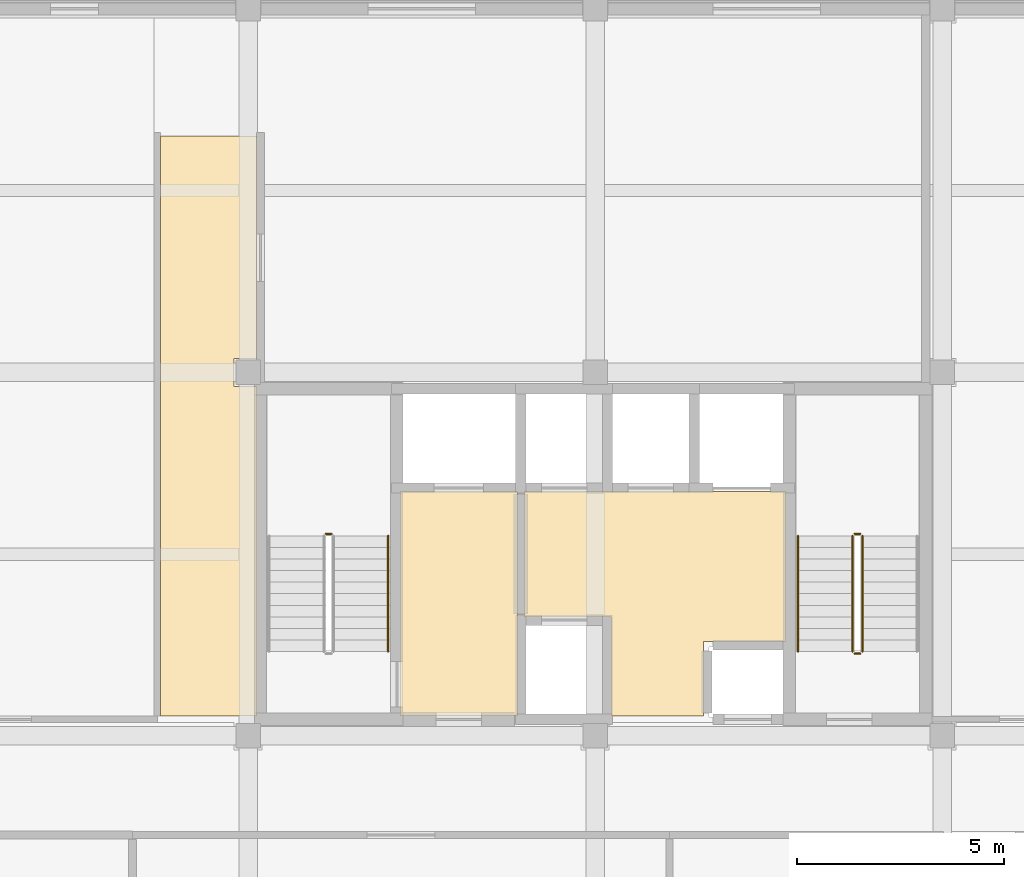
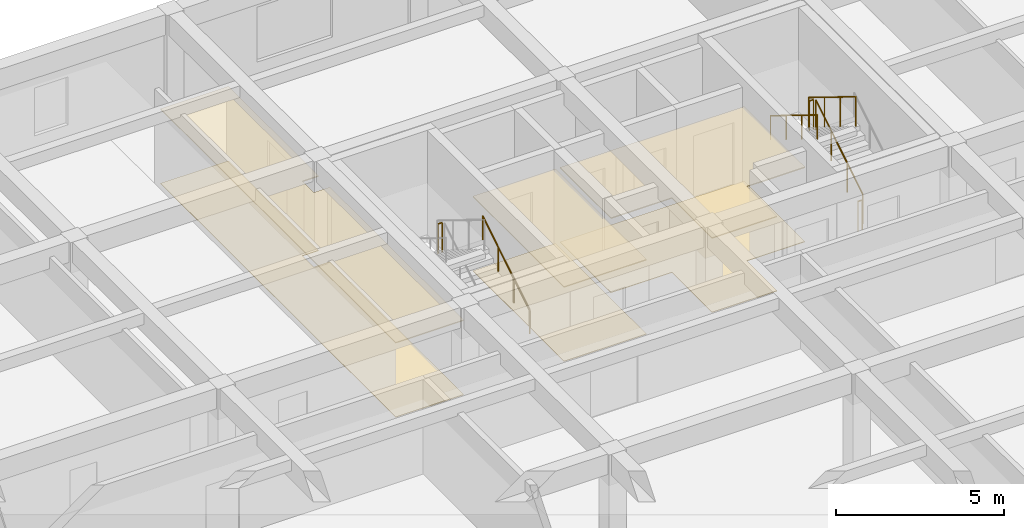
# One storey, part 13 of 14: 7 railings, 6 coverings.
"""IFC4 building model written with IfcOpenShell, lengths in metres."""

from ifc_helpers import new_model, si_unit, direction, frame, origin, origin_2d, place, context, subcontext, project, spatial, polyline, circle, outline, extrude, material, layer, layer_set, type_object, element, save


model = new_model("IFC4")

# Units and contexts
model_context = context("Model", 3, precision=1e-05, world=origin(), true_north=direction((0.0, 1.0)))
body_context = subcontext(model_context, "Body", "Model", "MODEL_VIEW")
ifc_project = project(units=[si_unit("LENGTHUNIT", "METRE"), si_unit("AREAUNIT", "SQUARE_METRE"), si_unit("VOLUMEUNIT", "CUBIC_METRE"), si_unit("PLANEANGLEUNIT", "RADIAN"), si_unit("MASSUNIT", "GRAM", prefix="KILO")], contexts=[model_context])

# Site, building, storey
site_placement = place(None, origin())
site = spatial("IfcSite", under=ifc_project, at=site_placement, CompositionType="ELEMENT")
building_placement = place(site_placement, origin())
building = spatial("IfcBuilding", under=site, at=building_placement, Name="Kemercrest Conservatory and Botanical Centre", CompositionType="ELEMENT")
storey_placement = place(building_placement, frame((0.0, 0.0, 44.39990234375)))
storey = spatial("IfcBuildingStorey", under=building, at=storey_placement, Name="L11", CompositionType="ELEMENT", Elevation=44.39990234375)

# Coverings
ifc_material_1 = material(Name="Perforated acoustic gypsum and mineral-fibre suspended ceiling", Category="gypsum")
ifc_layer_1 = layer(ifc_material_1, 0.034912109375)
ifc_layer_set_1 = layer_set([ifc_layer_1], Name="Perforated acoustic gypsum and mineral-fibre suspended ceiling")
covering_type_1 = type_object("IfcCoveringType", Name="CV-CLG035", PredefinedType="CEILING", material=ifc_layer_set_1)
covering_1_placement = place(storey_placement, frame((0.0, 0.0, 2.7001953125)))
element("IfcCovering", 1, at=covering_1_placement, inside=storey, type_object=covering_type_1, Name="Firefighting Lobby suspended acoustic ceiling", PredefinedType="CEILING", context=body_context, shape_type="SweptSolid", body=[
    extrude(outline(polyline([(154.47998046875, 105.280029296875), (157.320068359375, 105.280029296875), (157.320068359375, 110.719970703125), (154.47998046875, 110.719970703125), (154.47998046875, 105.280029296875)])), origin(), (0.0, 0.0, 1.0), 0.034912109375),
])
covering_2_placement = place(storey_placement, frame((0.0, 0.0, 2.7001953125)))
element("IfcCovering", 2, at=covering_2_placement, inside=storey, type_object=covering_type_1, Name="Tower Lift Lobby suspended acoustic ceiling", PredefinedType="CEILING", context=body_context, shape_type="SweptSolid", body=[
    extrude(outline(polyline([(159.580078125, 107.679931640625), (159.580078125, 105.280029296875), (161.820068359375, 105.280029296875), (161.820068359375, 107.080078125), (163.820068359375, 107.080078125), (163.820068359375, 110.719970703125), (157.47998046875, 110.719970703125), (157.47998046875, 107.679931640625), (159.580078125, 107.679931640625)])), origin(), (0.0, 0.0, 1.0), 0.034912109375),
])
covering_3_placement = place(storey_placement, frame((0.0, 0.0, 2.7001953125)))
element("IfcCovering", 3, at=covering_3_placement, inside=storey, type_object=covering_type_1, Name="North Core Lobby Branch suspended acoustic ceiling", PredefinedType="CEILING", context=body_context, shape_type="SweptSolid", body=[
    extrude(outline(polyline([(148.679931640625, 105.280029296875), (151.02001953125, 105.280029296875), (151.02001953125, 113.260009765625), (150.4599609375, 113.260009765625), (150.4599609375, 113.93994140625), (151.02001953125, 113.93994140625), (151.02001953125, 119.320068359375), (148.679931640625, 119.320068359375), (148.679931640625, 105.280029296875)])), origin(), (0.0, 0.0, 1.0), 0.034912109375),
])
ifc_material_2 = material(Name="Polished limestone terrazzo and seamless laboratory epoxy flooring", Category="masonry")
ifc_layer_2 = layer(ifc_material_2, 0.02001953125)
ifc_layer_set_2 = layer_set([ifc_layer_2], Name="Polished limestone terrazzo and seamless laboratory epoxy flooring")
covering_type_2 = type_object("IfcCoveringType", Name="CV-FLR020", PredefinedType="FLOORING", material=ifc_layer_set_2)
covering_4_placement = place(storey_placement, origin())
element("IfcCovering", 4, at=covering_4_placement, inside=storey, type_object=covering_type_2, Name="Firefighting Lobby floor finish", PredefinedType="FLOORING", context=body_context, shape_type="SweptSolid", body=[
    extrude(outline(polyline([(154.47998046875, 105.280029296875), (157.320068359375, 105.280029296875), (157.320068359375, 110.719970703125), (154.47998046875, 110.719970703125), (154.47998046875, 105.280029296875)])), origin(), (0.0, 0.0, 1.0), 0.02001953125),
])
covering_5_placement = place(storey_placement, origin())
element("IfcCovering", 5, at=covering_5_placement, inside=storey, type_object=covering_type_2, Name="Tower Lift Lobby floor finish", PredefinedType="FLOORING", context=body_context, shape_type="SweptSolid", body=[
    extrude(outline(polyline([(159.580078125, 107.679931640625), (159.580078125, 105.280029296875), (161.820068359375, 105.280029296875), (161.820068359375, 107.080078125), (163.820068359375, 107.080078125), (163.820068359375, 110.719970703125), (157.47998046875, 110.719970703125), (157.47998046875, 107.679931640625), (159.580078125, 107.679931640625)])), origin(), (0.0, 0.0, 1.0), 0.02001953125),
])
covering_6_placement = place(storey_placement, origin())
element("IfcCovering", 6, at=covering_6_placement, inside=storey, type_object=covering_type_2, Name="North Core Lobby Branch floor finish", PredefinedType="FLOORING", context=body_context, shape_type="SweptSolid", body=[
    extrude(outline(polyline([(148.679931640625, 105.280029296875), (151.02001953125, 105.280029296875), (151.02001953125, 113.260009765625), (150.4599609375, 113.260009765625), (150.4599609375, 113.93994140625), (151.02001953125, 113.93994140625), (151.02001953125, 119.320068359375), (148.679931640625, 119.320068359375), (148.679931640625, 105.280029296875)])), origin(), (0.0, 0.0, 1.0), 0.02001953125),
])

# Railings
ifc_material_3 = material(Name="Painted galvanized steel tubular stair guardrail", Category="steel")
railing_type_1 = type_object("IfcRailingType", Name="GR-STR110", PredefinedType="GUARDRAIL", material=ifc_material_3)
railing_1_placement = place(storey_placement, frame((152.820068359375, 109.68994140625, 1.900146484375)))
element("IfcRailing", 7, at=railing_1_placement, inside=storey, type_object=railing_type_1, Name="L11 ST-V4A stair guard 2", PredefinedType="GUARDRAIL", context=body_context, shape_type="SweptSolid", body=[
    extrude(circle(Radius=0.02392578125, at=origin_2d()), frame((0.0, 0.0, 1.076171875), z_axis=(-1.0, 0.0, 0.0), x_axis=(0.0, -1.0, 0.0)), (0.0, 0.0, 1.0), 0.14013671875),
    extrude(circle(Radius=0.02099609375, at=origin_2d()), origin(), (0.0, 0.0, 1.0), 1.052001953125),
    extrude(circle(Radius=0.02099609375, at=origin_2d()), frame((-0.14013671875, 0.0, 0.0)), (0.0, 0.0, 1.0), 1.052001953125),
])
railing_2_placement = place(storey_placement, frame((165.669921875, 106.840087890625, 0.1728515625)))
element("IfcRailing", 8, at=railing_2_placement, inside=storey, type_object=railing_type_1, Name="L11 ST-V4B stair guard 1", PredefinedType="GUARDRAIL", context=body_context, shape_type="SweptSolid", body=[
    extrude(circle(Radius=0.02392578125, at=origin_2d()), frame((0.0, 0.0, 1.076171875), z_axis=(0.0, 0.851069175582, 0.525053576669), x_axis=(-1.0, 0.0, 0.0)), (0.0, 0.0, 1.0), 3.289794921875),
    extrude(circle(Radius=0.02099609375, at=origin_2d()), origin(), (0.0, 0.0, 1.0), 1.052001953125),
    extrude(circle(Radius=0.02099609375, at=origin_2d()), frame((0.0, 0.933349609375, 0.57568359375)), (0.0, 0.0, 1.0), 1.052001953125),
    extrude(circle(Radius=0.02099609375, at=origin_2d()), frame((0.0, 1.866455078125, 1.151611328125)), (0.0, 0.0, 1.0), 1.052001953125),
    extrude(circle(Radius=0.02099609375, at=origin_2d()), frame((0.0, 2.7998046875, 1.727294921875)), (0.0, 0.0, 1.0), 1.052001953125),
])
railing_3_placement = place(storey_placement, frame((165.6201171875, 109.68994140625, 1.900146484375)))
element("IfcRailing", 9, at=railing_3_placement, inside=storey, type_object=railing_type_1, Name="L11 ST-V4B stair guard 2", PredefinedType="GUARDRAIL", context=body_context, shape_type="SweptSolid", body=[
    extrude(circle(Radius=0.02392578125, at=origin_2d()), frame((0.0, 0.0, 1.076171875), z_axis=(-1.0, 0.0, 0.0), x_axis=(0.0, -1.0, 0.0)), (0.0, 0.0, 1.0), 0.14013671875),
    extrude(circle(Radius=0.02099609375, at=origin_2d()), origin(), (0.0, 0.0, 1.0), 1.052001953125),
    extrude(circle(Radius=0.02099609375, at=origin_2d()), frame((-0.14013671875, 0.0, 0.0)), (0.0, 0.0, 1.0), 1.052001953125),
])
railing_4_placement = place(storey_placement, frame((165.429931640625, 109.639892578125, 2.07275390625)))
element("IfcRailing", 10, at=railing_4_placement, inside=storey, type_object=railing_type_1, Name="L11 ST-V4B stair guard 3", PredefinedType="GUARDRAIL", context=body_context, shape_type="SweptSolid", body=[
    extrude(circle(Radius=0.02392578125, at=origin_2d()), frame((0.0, 0.0, 1.076171875), z_axis=(0.0, -0.851069175582, 0.525053576669), x_axis=(1.0, 0.0, 0.0)), (0.0, 0.0, 1.0), 3.289794921875),
    extrude(circle(Radius=0.02099609375, at=origin_2d()), origin(), (0.0, 0.0, 1.0), 1.052001953125),
    extrude(circle(Radius=0.02099609375, at=origin_2d()), frame((0.0, -0.933349609375, 0.57568359375)), (0.0, 0.0, 1.0), 1.052001953125),
    extrude(circle(Radius=0.02099609375, at=origin_2d()), frame((0.0, -1.866455078125, 1.151611328125)), (0.0, 0.0, 1.0), 1.052001953125),
    extrude(circle(Radius=0.02099609375, at=origin_2d()), frame((0.0, -2.7998046875, 1.727294921875)), (0.0, 0.0, 1.0), 1.052001953125),
])
railing_5_placement = place(storey_placement, frame((165.6201171875, 106.7900390625, 0.0)))
element("IfcRailing", 11, at=railing_5_placement, inside=storey, type_object=railing_type_1, Name="L11 ST-V4B stair guard 4", PredefinedType="GUARDRAIL", context=body_context, shape_type="SweptSolid", body=[
    extrude(circle(Radius=0.02392578125, at=origin_2d()), frame((0.0, 0.0, 1.076171875), z_axis=(-1.0, 0.0, 0.0), x_axis=(0.0, -1.0, 0.0)), (0.0, 0.0, 1.0), 0.14013671875),
    extrude(circle(Radius=0.02099609375, at=origin_2d()), origin(), (0.0, 0.0, 1.0), 1.052001953125),
    extrude(circle(Radius=0.02099609375, at=origin_2d()), frame((-0.14013671875, 0.0, 0.0)), (0.0, 0.0, 1.0), 1.052001953125),
])
ifc_material_4 = material(Name="Brushed stainless steel wall-mounted handrail", Category="steel")
railing_type_2 = type_object("IfcRailingType", Name="HR-STR090", PredefinedType="HANDRAIL", material=ifc_material_4)
railing_6_placement = place(storey_placement, frame((154.18994140625, 106.840087890625, 0.1728515625)))
element("IfcRailing", 12, at=railing_6_placement, inside=storey, type_object=railing_type_2, Name="L11 ST-V4A stair handrail 1", PredefinedType="HANDRAIL", context=body_context, shape_type="SweptSolid", body=[
    extrude(circle(Radius=0.02392578125, at=origin_2d()), frame((0.0, 0.0, 0.8759765625), z_axis=(0.0, 0.851069175582, 0.525053576669), x_axis=(-1.0, 0.0, 0.0)), (0.0, 0.0, 1.0), 3.289794921875),
    extrude(circle(Radius=0.02099609375, at=origin_2d()), origin(), (0.0, 0.0, 1.0), 0.851806640625),
    extrude(circle(Radius=0.02099609375, at=origin_2d()), frame((0.0, 0.933349609375, 0.57568359375)), (0.0, 0.0, 1.0), 0.851806640625),
    extrude(circle(Radius=0.02099609375, at=origin_2d()), frame((0.0, 1.866455078125, 1.151611328125)), (0.0, 0.0, 1.0), 0.851806640625),
    extrude(circle(Radius=0.02099609375, at=origin_2d()), frame((0.0, 2.7998046875, 1.727294921875)), (0.0, 0.0, 1.0), 0.851806640625),
])
railing_7_placement = place(storey_placement, frame((164.110107421875, 109.639892578125, 2.07275390625)))
element("IfcRailing", 13, at=railing_7_placement, inside=storey, type_object=railing_type_2, Name="L11 ST-V4B stair handrail 2", PredefinedType="HANDRAIL", context=body_context, shape_type="SweptSolid", body=[
    extrude(circle(Radius=0.02392578125, at=origin_2d()), frame((0.0, 0.0, 0.8759765625), z_axis=(0.0, -0.851069175582, 0.525053576669), x_axis=(1.0, 0.0, 0.0)), (0.0, 0.0, 1.0), 3.289794921875),
    extrude(circle(Radius=0.02099609375, at=origin_2d()), origin(), (0.0, 0.0, 1.0), 0.851806640625),
    extrude(circle(Radius=0.02099609375, at=origin_2d()), frame((0.0, -0.933349609375, 0.57568359375)), (0.0, 0.0, 1.0), 0.851806640625),
    extrude(circle(Radius=0.02099609375, at=origin_2d()), frame((0.0, -1.866455078125, 1.151611328125)), (0.0, 0.0, 1.0), 0.851806640625),
    extrude(circle(Radius=0.02099609375, at=origin_2d()), frame((0.0, -2.7998046875, 1.727294921875)), (0.0, 0.0, 1.0), 0.851806640625),
])

save(model, "model.ifc")
